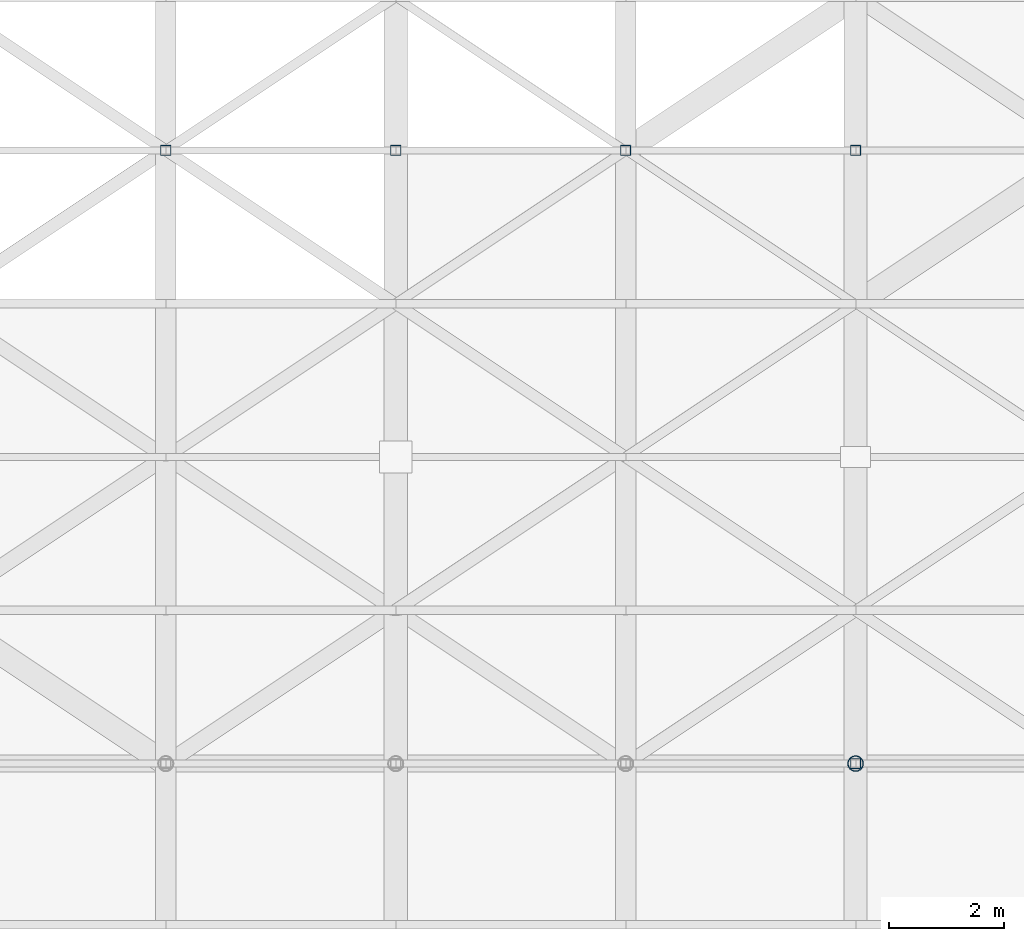
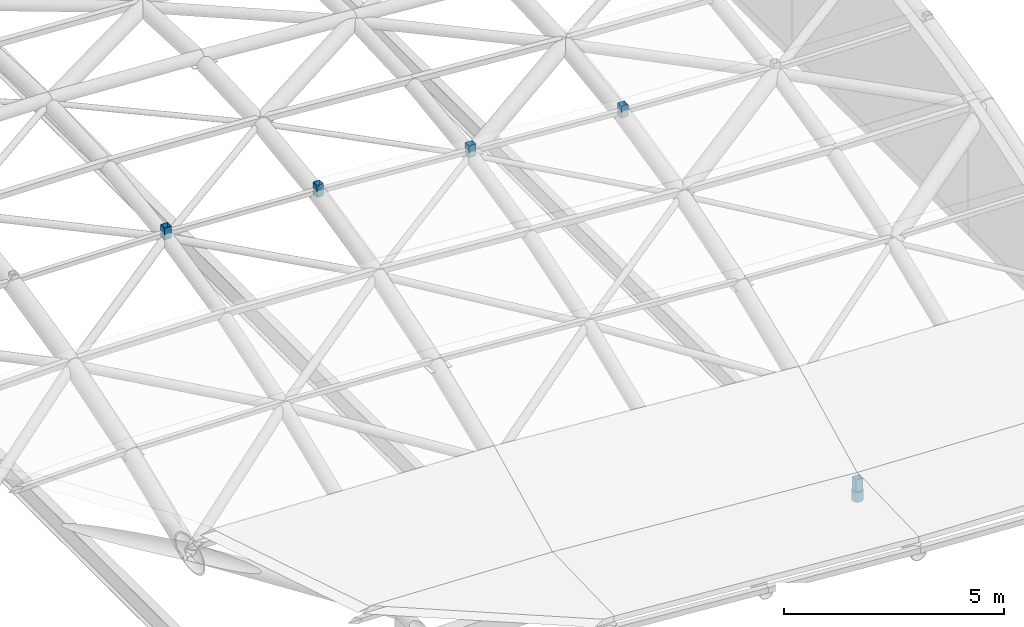
# One storey, part 42 of 72: 6 members.
"""IFC4 building model written with IfcOpenShell, lengths in metres."""

from ifc_helpers import new_model, si_unit, direction, frame, origin, origin_2d, place, context, subcontext, project, spatial, hollow_rectangle, hollow_circle, extrude, material, material_profile, profile_set, type_object, element, save


model = new_model("IFC4")

# Units and contexts
model_context = context("Model", 3, precision=1e-05, world=origin(), true_north=direction((0.0, 1.0)))
body_context = subcontext(model_context, "Body", "Model", "MODEL_VIEW")
ifc_project = project(units=[si_unit("LENGTHUNIT", "METRE"), si_unit("AREAUNIT", "SQUARE_METRE"), si_unit("VOLUMEUNIT", "CUBIC_METRE"), si_unit("PLANEANGLEUNIT", "RADIAN"), si_unit("MASSUNIT", "GRAM", prefix="KILO")], contexts=[model_context])

# Site, building, storey
site_placement = place(None, origin())
site = spatial("IfcSite", under=ifc_project, at=site_placement, CompositionType="ELEMENT")
building_placement = place(site_placement, origin())
building = spatial("IfcBuilding", under=site, at=building_placement, Name="Tenunan Teduh Sports Hall", CompositionType="ELEMENT")
storey_placement = place(building_placement, frame((0.0, 0.0, 15.0)))
storey = spatial("IfcBuildingStorey", under=building, at=storey_placement, Name="L03", CompositionType="ELEMENT", Elevation=15.0)

# Members
ifc_material_1 = material(Name="Steel S355", Category="steel")
ifc_material_profile_1 = material_profile(ifc_material_1, hollow_circle(Radius=0.136474609375, WallThickness=0.010009765625, at=origin_2d()), Name="CHS 273.0x10.0")
ifc_profile_set_1 = profile_set([ifc_material_profile_1], Name="Steel S355")
member_type_1 = type_object("IfcMemberType", Name="MEM-ST-CHS273", PredefinedType="STRUT", material=ifc_profile_set_1)
member_placement = place(storey_placement, frame((162.0, 14.0, -0.35009765625), z_axis=(0.0, 0.0, 1.0), x_axis=(1.0, 0.0, 0.0)))
element("IfcMember", 1, at=member_placement, inside=storey, type_object=member_type_1, Name="MEM-VS-04-L03-0072", PredefinedType="STRUT", context=body_context, shape_type="SweptSolid", body=[
    extrude(hollow_circle(Radius=0.136474609375, WallThickness=0.010009765625, at=origin_2d()), origin(), (0.0, 0.0, 1.0), 0.27099609375),
])
ifc_material_2 = material(Name="Steel S355", Category="steel")
ifc_material_profile_2 = material_profile(ifc_material_2, hollow_rectangle(XDim=0.179931640625, YDim=0.179931640625, WallThickness=0.010009765625, at=origin_2d()), Name="SHS 180x180x10.0")
ifc_profile_set_2 = profile_set([ifc_material_profile_2], Name="Steel S355")
member_type_2 = type_object("IfcMemberType", Name="MEM-ST-SHS180", PredefinedType="STRUT", material=ifc_profile_set_2)
for number, where, z_axis, x_axis, name in (
    (2, (150.0, 24.666748046875, 4.6513671875), (0.0, 0.0, 1.0), (1.0, 0.0, 0.0), "MEM-VS-03-L03-0054"),
    (3, (154.0, 24.666748046875, 4.4287109375), (0.0, 0.0, 1.0), (1.0, 0.0, 0.0), "MEM-VS-03-L03-0061"),
    (4, (158.0, 24.666748046875, 4.1318359375), (0.0, 0.0, 1.0), (1.0, 0.0, 0.0), "MEM-VS-03-L03-0069"),
    (5, (162.0, 14.0, -0.0791015625), (0.0, 0.0, 1.0), (1.0, 0.0, 0.0), "MEM-VS-03-L03-0076"),
    (6, (162.0, 24.666748046875, 3.8310546875), (0.0, 0.0, 1.0), (1.0, 0.0, 0.0), "MEM-VS-03-L03-0077"),
):
    element("IfcMember", number, at=place(storey_placement, frame(where, z_axis=z_axis, x_axis=x_axis)), inside=storey, type_object=member_type_2, Name=name, PredefinedType="STRUT", context=body_context, shape_type="SweptSolid", body=[
        extrude(hollow_rectangle(XDim=0.179931640625, YDim=0.179931640625, WallThickness=0.010009765625, at=origin_2d()), origin(), (0.0, 0.0, 1.0), 0.329833984375),
    ])

save(model, "model.ifc")
